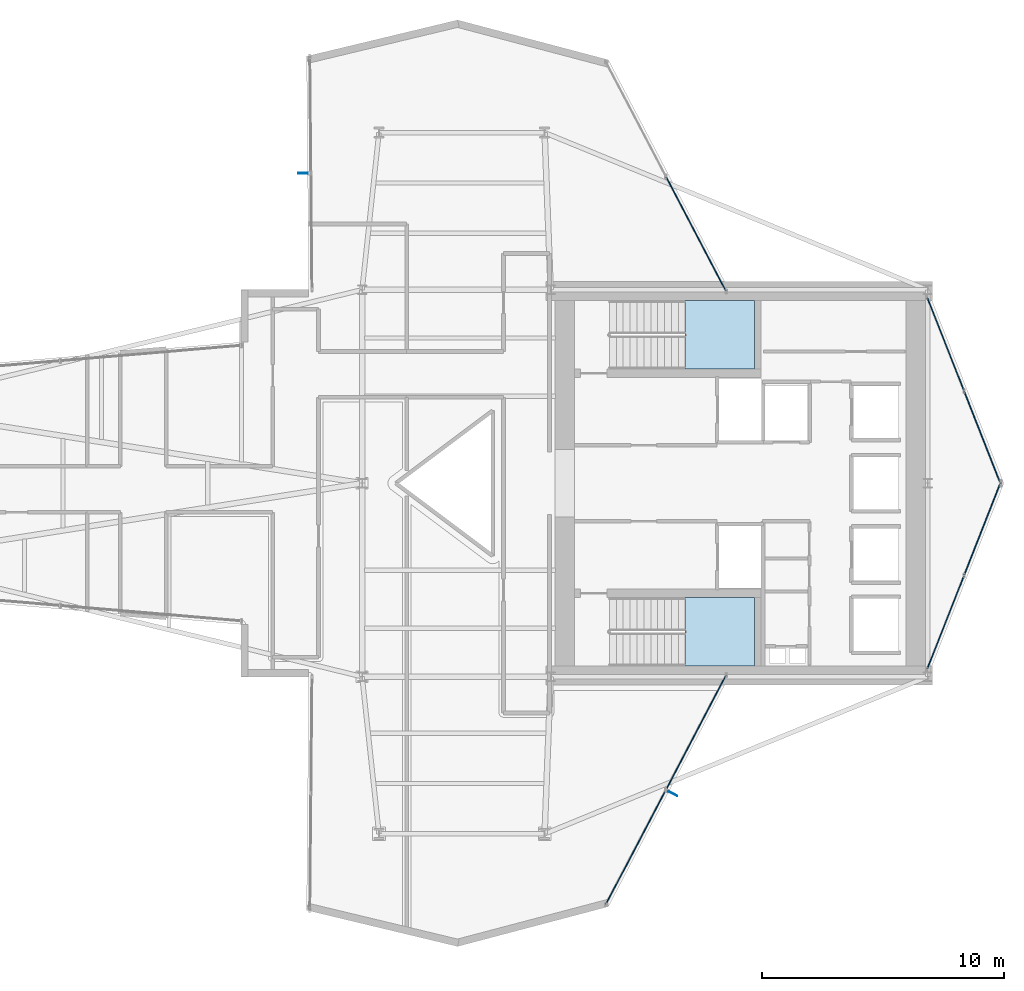
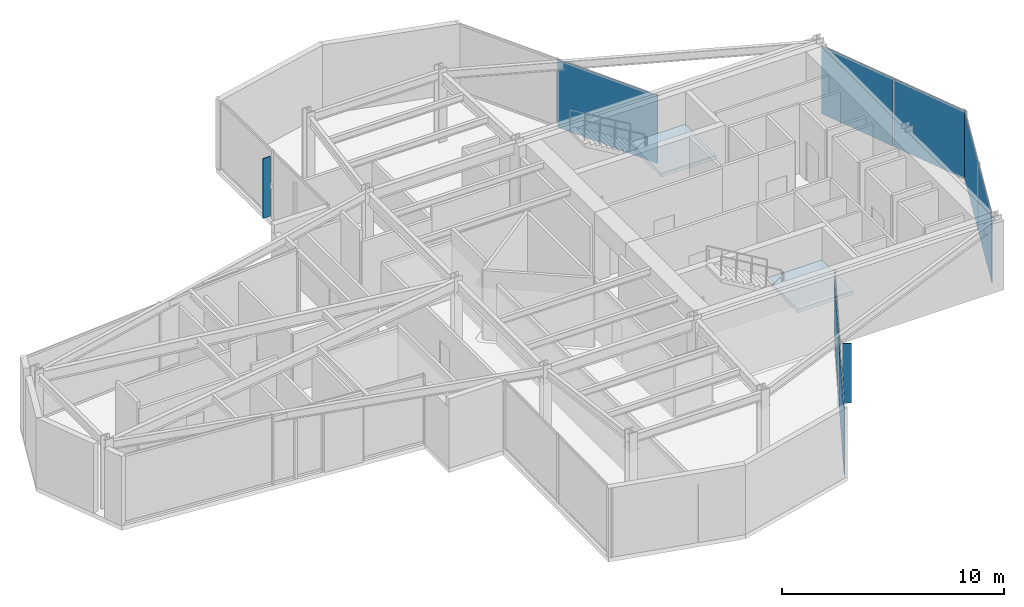
# One storey, part 20 of 25: 9 plates, 2 slabs, 6 elements without a shape of their own.
"""IFC4 building model written with IfcOpenShell, lengths in metres."""

import ifcopenshell
import ifcopenshell.guid

model = None  # the IFC model being written
_history = None  # IfcOwnerHistory: only IFC2X3 demands one
_inside = {}  # id of a spatial element -> (the spatial element, [elements in it])
_under = {}  # id of a project, library or spatial element -> (it, [spatial elements below it])
_declared = {}  # id of a project -> (the project, [libraries it declares])
_typed = {}  # id of a type object -> (the type object, [elements of that type])
_made_of = {}  # id of a material, layer set ... -> (it, [elements and type objects made of it])


def new_model(schema):
    """Start an empty IFC model of exactly this schema.

    Asked for "IFC4X3", IfcOpenShell would pick the latest addendum, in which some entities
    have other attributes; the version numbers below select the first issue.
    IFC2X3 requires an IfcOwnerHistory on every rooted entity: one is made here for all.
    """
    global model, _history
    if schema == "IFC4X3":
        model = ifcopenshell.file(schema_version=(4, 3, 0, 0))
    else:
        model = ifcopenshell.file(schema=schema)
    _inside.clear()
    _under.clear()
    _declared.clear()
    _typed.clear()
    _made_of.clear()
    _history = None
    if model.schema == "IFC2X3":
        org = make("IfcOrganization", Name="unknown")
        user = make(
            "IfcPersonAndOrganization",
            ThePerson=make("IfcPerson", FamilyName="unknown"),
            TheOrganization=org,
        )
        app = make(
            "IfcApplication",
            ApplicationDeveloper=org,
            Version="unknown",
            ApplicationFullName="unknown",
            ApplicationIdentifier="unknown",
        )
        _history = make(
            "IfcOwnerHistory",
            OwningUser=user,
            OwningApplication=app,
            ChangeAction="ADDED",
            CreationDate=0,
        )
    return model


def make(cls, **values):
    """One entity of the class cls with the attributes given. An attribute that is None is left unset."""
    return model.create_entity(
        cls, **{name: value for name, value in values.items() if value is not None}
    )


def rooted(cls, **values):
    """An entity with a GlobalId (a new one), such as an element, a storey or a relation."""
    return make(cls, GlobalId=ifcopenshell.guid.new(), OwnerHistory=_history, **values)


def si_unit(unit_type, name, prefix=None):
    """IfcSIUnit, for example si_unit("LENGTHUNIT", "METRE", prefix="MILLI")."""
    return make("IfcSIUnit", UnitType=unit_type, Prefix=prefix, Name=name)


def assignment(units):
    """IfcUnitAssignment: the units of a project."""
    return None if units is None else make("IfcUnitAssignment", Units=units)


def point(xyz):
    """IfcCartesianPoint."""
    return None if xyz is None else make("IfcCartesianPoint", Coordinates=xyz)


def direction(xyz):
    """IfcDirection."""
    return None if xyz is None else make("IfcDirection", DirectionRatios=xyz)


def frame(location, z_axis=None, x_axis=None):
    """IfcAxis2Placement3D, a coordinate frame: its origin and axes. An axis left out is left unset."""
    return make(
        "IfcAxis2Placement3D",
        Location=point(location),
        Axis=direction(z_axis),
        RefDirection=direction(x_axis),
    )


def frame_2d(location, x_axis=None):
    """IfcAxis2Placement2D, a coordinate frame in the plane: its origin and x axis."""
    return make(
        "IfcAxis2Placement2D", Location=point(location), RefDirection=direction(x_axis)
    )


def origin():
    """The frame at (0, 0, 0) with its axes left unset."""
    return frame((0.0, 0.0, 0.0))


def origin_2d():
    """The frame at (0, 0) in the plane with its x axis left unset."""
    return frame_2d((0.0, 0.0))


def place(relative_to, where):
    """IfcLocalPlacement: puts the frame where relative to a parent placement (None: the world)."""
    return make(
        "IfcLocalPlacement", PlacementRelTo=relative_to, RelativePlacement=where
    )


def context(
    kind, dimensions, precision=None, world=None, true_north=None, identifier=None
):
    """IfcGeometricRepresentationContext, for example the 3D "Model" context."""
    return make(
        "IfcGeometricRepresentationContext",
        ContextIdentifier=identifier,
        ContextType=kind,
        CoordinateSpaceDimension=dimensions,
        Precision=precision,
        WorldCoordinateSystem=world,
        TrueNorth=true_north,
    )


def subcontext(parent, identifier, kind, view, scale=None):
    """IfcGeometricRepresentationSubContext, for example "Body" below "Model"."""
    return make(
        "IfcGeometricRepresentationSubContext",
        ContextIdentifier=identifier,
        ContextType=kind,
        ParentContext=parent,
        TargetScale=scale,
        TargetView=view,
    )


def project(units=None, contexts=None):
    """IfcProject with its units and contexts."""
    return rooted(
        "IfcProject",
        Name="project",
        RepresentationContexts=contexts,
        UnitsInContext=assignment(units),
    )


def spatial(cls, under=None, at=None, **own):
    """A site, building, storey or space (cls), placed at a placement, below another one or the project."""
    s = rooted(cls, ObjectPlacement=at, **own)
    if under is not None:
        _under.setdefault(under.id(), (under, []))[1].append(s)
    return s


def polyline(points):
    """IfcPolyline through the points."""
    return make("IfcPolyline", Points=[point(p) for p in points])


def profile(cls, at=None, kind="AREA", **sizes):
    """A parametric profile (cls). Its sizes go by their IFC names, for example OverallWidth=200.0."""
    return make(cls, ProfileType=kind, Position=at, **sizes)


def rectangle(**sizes):
    """IfcRectangleProfileDef."""
    return profile("IfcRectangleProfileDef", **sizes)


def outline(outer, holes=None, kind="AREA"):
    """IfcArbitraryClosedProfileDef: a profile drawn as a closed curve; with holes, ...WithVoids."""
    if holes is None:
        return make("IfcArbitraryClosedProfileDef", ProfileType=kind, OuterCurve=outer)
    return make(
        "IfcArbitraryProfileDefWithVoids",
        ProfileType=kind,
        OuterCurve=outer,
        InnerCurves=holes,
    )


def extrude(swept, where, along, depth):
    """IfcExtrudedAreaSolid: the profile swept, set in the frame where, extruded along a direction by depth."""
    return make(
        "IfcExtrudedAreaSolid",
        SweptArea=swept,
        Position=where,
        ExtrudedDirection=direction(along),
        Depth=depth,
    )


def shape(context_of_items, identifier, shape_type, items):
    """IfcShapeRepresentation: the items that make up one representation, for example the "Body"."""
    return make(
        "IfcShapeRepresentation",
        ContextOfItems=context_of_items,
        RepresentationIdentifier=identifier,
        RepresentationType=shape_type,
        Items=items,
    )


def material(Name=None, Category=None):
    """IfcMaterial."""
    return make("IfcMaterial", Name=Name, Category=Category)


def layer(
    of_material, thickness, ventilated=None, Name=None, Category=None, Priority=None
):
    """IfcMaterialLayer: one layer of a wall or slab, of a material (None: an air gap)."""
    return make(
        "IfcMaterialLayer",
        Material=of_material,
        LayerThickness=thickness,
        IsVentilated=ventilated,
        Name=Name,
        Category=Category,
        Priority=Priority,
    )


def layer_set(layers, Name=None):
    """IfcMaterialLayerSet."""
    return make("IfcMaterialLayerSet", MaterialLayers=layers, LayerSetName=Name)


def made_of(thing, what):
    """Note that an element or type object is made of a material, layer set ...; save() writes the relation."""
    if what is not None:
        _made_of.setdefault(what.id(), (what, []))[1].append(thing)
    return thing


def type_object(cls, material=None, **own):
    """A type object (cls), such as IfcWallType, which elements share."""
    return made_of(rooted(cls, **own), material)


def element(
    cls,
    number,
    at=None,
    inside=None,
    cuts=None,
    type_object=None,
    material=None,
    context=None,
    identifier="Body",
    shape_type=None,
    held_by="IfcProductDefinitionShape",
    body=None,
    shapes=None,
    **own,
):
    """One element of the class cls, such as IfcWall. Its Tag is "e" and its number.

    at: its placement. inside: the storey or other place that contains it. cuts: it is an
    opening in that element (IfcRelVoidsElement). A single representation is given by context,
    identifier, shape_type and body (its items); several are given by shapes. held_by: the class
    of the entity that holds the representations. save() writes the other relations.
    """
    e = rooted(cls, Tag="e%d" % number, ObjectPlacement=at, **own)
    if body is not None:
        shapes = [shape(context, identifier, shape_type, body)]
    if shapes is not None:
        e.Representation = make(held_by, Representations=shapes)
    if inside is not None:
        _inside.setdefault(inside.id(), (inside, []))[1].append(e)
    if cuts is not None:
        rooted(
            "IfcRelVoidsElement", RelatingBuildingElement=cuts, RelatedOpeningElement=e
        )
    if type_object is not None:
        _typed.setdefault(type_object.id(), (type_object, []))[1].append(e)
    return made_of(e, material)


def aggregate(whole, parts):
    """IfcRelAggregates: a whole, such as a stair, and the parts it consists of."""
    return rooted("IfcRelAggregates", RelatingObject=whole, RelatedObjects=parts)


def save(model, path):
    """Write the relations noted so far, then the file.

    IfcRelAggregates (storeys below a building ...), IfcRelContainedInSpatialStructure (elements
    in a storey), IfcRelDefinesByType, IfcRelAssociatesMaterial and IfcRelDeclares: one each for
    every whole, place, type object, material and project.
    """
    for whole, parts in _under.values():
        aggregate(whole, parts)
    for where, things in _inside.values():
        rooted(
            "IfcRelContainedInSpatialStructure",
            RelatedElements=things,
            RelatingStructure=where,
        )
    for kind, things in _typed.values():
        rooted("IfcRelDefinesByType", RelatedObjects=things, RelatingType=kind)
    for what, things in _made_of.values():
        rooted("IfcRelAssociatesMaterial", RelatedObjects=things, RelatingMaterial=what)
    for by, libraries in _declared.values():
        rooted("IfcRelDeclares", RelatingContext=by, RelatedDefinitions=libraries)
    model.write(path)


model = new_model("IFC4")

# Units and contexts
model_context = context("Model", 3, precision=1e-05, world=origin(), true_north=direction((0.0, 1.0)))
body_context = subcontext(model_context, "Body", "Model", "MODEL_VIEW")
ifc_project = project(units=[si_unit("LENGTHUNIT", "METRE"), si_unit("AREAUNIT", "SQUARE_METRE"), si_unit("VOLUMEUNIT", "CUBIC_METRE"), si_unit("PLANEANGLEUNIT", "RADIAN"), si_unit("MASSUNIT", "GRAM", prefix="KILO")], contexts=[model_context])

# Site, building, storey
site_placement = place(None, origin())
site = spatial("IfcSite", under=ifc_project, at=site_placement, CompositionType="ELEMENT")
building_placement = place(site_placement, origin())
building = spatial("IfcBuilding", under=site, at=building_placement, Name="Veymaron Broadcast Tower", CompositionType="ELEMENT")
storey_placement = place(building_placement, frame((0.0, 0.0, 145.199951171875)))
storey = spatial("IfcBuildingStorey", under=building, at=storey_placement, Name="L33", CompositionType="ELEMENT", Elevation=145.199951171875)

# Curtain wall, plates
ifc_material_1 = material(Name="Anodised aluminium AA 6063-T6 and laminated low-E dark glass", Category="aluminium")
ifc_layer_1 = layer(ifc_material_1, 0.179931640625)
ifc_layer_set_1 = layer_set([ifc_layer_1], Name="Anodised aluminium AA 6063-T6 and laminated low-E dark glass")
curtain_wall_type = type_object("IfcCurtainWallType", Name="CW-SYS-03", PredefinedType="NOTDEFINED", material=ifc_layer_set_1)
curtain_wall_1_placement = place(storey_placement, origin())
curtain_wall_1 = element("IfcCurtainWall", 1, at=curtain_wall_1_placement, inside=storey, type_object=curtain_wall_type, Name="L33 dark-glass curtain wall CW-L33-E2-1", PredefinedType="NOTDEFINED")
ifc_material_2 = material(Name="Insulated dark-anodised aluminium spandrel panel 40 mm", Category="aluminium")
ifc_layer_2 = layer(ifc_material_2, 0.0400390625)
ifc_layer_set_2 = layer_set([ifc_layer_2], Name="Insulated dark-anodised aluminium spandrel panel 40 mm")
plate_type_1 = type_object("IfcPlateType", Name="CW-PNL-03", PredefinedType="CURTAIN_PANEL", material=ifc_layer_set_2)
plate_1_placement = place(storey_placement, frame((55.331787109375, 18.240478515625, 0.0400390625), z_axis=(0.0, 0.0, 1.0), x_axis=(0.366371312352, 0.930468732137, 0.0)))
plate_1 = element("IfcPlate", 2, at=plate_1_placement, type_object=plate_type_1, Name="CW-L33-E2-1 unitised curtain panel 0", PredefinedType="CURTAIN_PANEL", context=body_context, shape_type="SweptSolid", body=[
    extrude(rectangle(XDim=4.103515625, YDim=0.0400390625, at=origin_2d()), origin(), (0.0, 0.0, 1.0), 3.72998046875),
])
plate_2_placement = place(storey_placement, frame((56.85693359375, 22.1142578125, 0.0400390625), z_axis=(0.0, 0.0, 1.0), x_axis=(0.366371312352, 0.930468732137, 0.0)))
plate_2 = element("IfcPlate", 3, at=plate_2_placement, type_object=plate_type_1, Name="CW-L33-E2-1 unitised curtain panel 1", PredefinedType="CURTAIN_PANEL", context=body_context, shape_type="SweptSolid", body=[
    extrude(rectangle(XDim=4.103515625, YDim=0.0400390625, at=origin_2d()), origin(), (0.0, 0.0, 1.0), 3.72998046875),
])
aggregate(curtain_wall_1, [plate_1, plate_2])

curtain_wall_2_placement = place(storey_placement, origin())
curtain_wall_2 = element("IfcCurtainWall", 4, at=curtain_wall_2_placement, inside=storey, type_object=curtain_wall_type, Name="L33 dark-glass curtain wall CW-L33-E3-1", PredefinedType="NOTDEFINED")
plate_3_placement = place(storey_placement, frame((56.85693359375, 25.8857421875, 0.0400390625), z_axis=(0.0, 0.0, 1.0), x_axis=(-0.366371312352, 0.930468732137, 0.0)))
plate_3 = element("IfcPlate", 5, at=plate_3_placement, type_object=plate_type_1, Name="CW-L33-E3-1 unitised curtain panel 0", PredefinedType="CURTAIN_PANEL", context=body_context, shape_type="SweptSolid", body=[
    extrude(rectangle(XDim=4.103515625, YDim=0.0400390625, at=origin_2d()), origin(), (0.0, 0.0, 1.0), 3.72998046875),
])
plate_4_placement = place(storey_placement, frame((55.331787109375, 29.759521484375, 0.0400390625), z_axis=(0.0, 0.0, 1.0), x_axis=(-0.366371312352, 0.930468732137, 0.0)))
plate_4 = element("IfcPlate", 6, at=plate_4_placement, type_object=plate_type_1, Name="CW-L33-E3-1 unitised curtain panel 1", PredefinedType="CURTAIN_PANEL", context=body_context, shape_type="SweptSolid", body=[
    extrude(rectangle(XDim=4.103515625, YDim=0.0400390625, at=origin_2d()), origin(), (0.0, 0.0, 1.0), 3.72998046875),
])
aggregate(curtain_wall_2, [plate_3, plate_4])

# Curtain wall, plate
curtain_wall_3_placement = place(storey_placement, origin())
curtain_wall_3 = element("IfcCurtainWall", 7, at=curtain_wall_3_placement, inside=storey, type_object=curtain_wall_type, Name="L33 dark-glass curtain wall CW-L33-E5-1", PredefinedType="NOTDEFINED")
plate_5_placement = place(storey_placement, frame((45.0107421875, 34.31005859375, 0.0400390625), z_axis=(0.0, 0.0, 1.0), x_axis=(-0.46447113214, 0.885588260654, 0.0)))
plate_5 = element("IfcPlate", 8, at=plate_5_placement, type_object=plate_type_1, Name="CW-L33-E5-1 unitised curtain panel 0", PredefinedType="CURTAIN_PANEL", context=body_context, shape_type="SweptSolid", body=[
    extrude(rectangle(XDim=5.3037109375, YDim=0.0400390625, at=origin_2d()), origin(), (0.0, 0.0, 1.0), 3.72998046875),
])
aggregate(curtain_wall_3, [plate_5])

# Curtain wall, plates
curtain_wall_4_placement = place(storey_placement, origin())
curtain_wall_4 = element("IfcCurtainWall", 9, at=curtain_wall_4_placement, inside=storey, type_object=curtain_wall_type, Name="L33 dark-glass curtain wall CW-L33-E20-1", PredefinedType="NOTDEFINED")
plate_6_placement = place(storey_placement, frame((42.519287109375, 8.93994140625, 0.0400390625), z_axis=(0.0, 0.0, 1.0), x_axis=(0.46447113214, 0.885588260654, 0.0)))
plate_6 = element("IfcPlate", 10, at=plate_6_placement, type_object=plate_type_1, Name="CW-L33-E20-1 unitised curtain panel 0", PredefinedType="CURTAIN_PANEL", context=body_context, shape_type="SweptSolid", body=[
    extrude(rectangle(XDim=5.3037109375, YDim=0.0400390625, at=origin_2d()), origin(), (0.0, 0.0, 1.0), 3.72998046875),
])
plate_7_placement = place(storey_placement, frame((45.0107421875, 13.68994140625, 0.0400390625), z_axis=(0.0, 0.0, 1.0), x_axis=(0.46447113214, 0.885588260654, 0.0)))
plate_7 = element("IfcPlate", 11, at=plate_7_placement, type_object=plate_type_1, Name="CW-L33-E20-1 unitised curtain panel 1", PredefinedType="CURTAIN_PANEL", context=body_context, shape_type="SweptSolid", body=[
    extrude(rectangle(XDim=5.3037109375, YDim=0.0400390625, at=origin_2d()), origin(), (0.0, 0.0, 1.0), 3.72998046875),
])
aggregate(curtain_wall_4, [plate_6, plate_7])

# Plates
ifc_material_3 = material(Name="Dark-anodised aluminium AA 6061-T6", Category="aluminium")
ifc_layer_3 = layer(ifc_material_3, 0.031982421875)
ifc_layer_set_3 = layer_set([ifc_layer_3], Name="Dark-anodised aluminium AA 6061-T6")
plate_type_2 = type_object("IfcPlateType", Name="FIN-CHEV-03", PredefinedType="USERDEFINED", material=ifc_layer_set_3)
for number, where, z_axis, x_axis, name in (
    (12, (28.75732421875, 36.8232421875, 0.2666015625), (0.0, 0.0, 1.0), (-0.999956242636, -0.009354828341, 0.0), "CW-L33-E8-1 chevron fin 1"),
    (13, (44.057373046875, 11.16162109375, 0.2666015625), (0.0, 0.0, 1.0), (0.885588260654, -0.46447113214, 0.0), "CW-L33-E20-1 chevron fin 1"),
):
    element("IfcPlate", number, at=place(storey_placement, frame(where, z_axis=z_axis, x_axis=x_axis)), inside=storey, type_object=plate_type_2, Name=name, ObjectType="FIN", PredefinedType="USERDEFINED", context=body_context, shape_type="SweptSolid", body=[
        extrude(rectangle(XDim=0.39990234375, YDim=0.034912109375, at=origin_2d()), origin(), (0.0, 0.0, 1.0), 3.276611328125),
    ])

# Stair, slab
ifc_material_4 = material(Name="Concrete C50/60", Category="concrete")
stair_type_1 = type_object("IfcStairType", Name="STAIR-CORE-1", PredefinedType="HALF_TURN_STAIR", material=ifc_material_4)
stair_1_placement = place(storey_placement, origin())
stair_1 = element("IfcStair", 14, at=stair_1_placement, inside=storey, type_object=stair_type_1, Name="L33 North protected dog-leg exit stair ST1", PredefinedType="HALF_TURN_STAIR")
ifc_layer_4 = layer(ifc_material_4, 0.199951171875)
ifc_layer_set_4 = layer_set([ifc_layer_4], Name="Concrete C50/60")
slab_type = type_object("IfcSlabType", Name="SLAB-STAIR-LDG", PredefinedType="LANDING", material=ifc_layer_set_4)
slab_1_placement = place(storey_placement, frame((0.0, 0.0, 1.824951171875)))
slab_1 = element("IfcSlab", 15, at=slab_1_placement, type_object=slab_type, Name="ST1 landing 1", PredefinedType="LANDING", context=body_context, shape_type="SweptSolid", body=[
    extrude(outline(polyline([(44.56494140625, 28.72998046875), (47.43994140625, 28.72998046875), (47.43994140625, 31.550048828125), (44.56494140625, 31.550048828125), (44.56494140625, 28.72998046875)])), origin(), (0.0, 0.0, 1.0), 0.2001953125),
])
aggregate(stair_1, [slab_1])

stair_type_2 = type_object("IfcStairType", Name="STAIR-CORE-2", PredefinedType="HALF_TURN_STAIR", material=ifc_material_4)
stair_2_placement = place(storey_placement, origin())
stair_2 = element("IfcStair", 16, at=stair_2_placement, inside=storey, type_object=stair_type_2, Name="L33 South protected dog-leg exit stair ST2", PredefinedType="HALF_TURN_STAIR")
slab_2_placement = place(storey_placement, frame((0.0, 0.0, 1.824951171875)))
slab_2 = element("IfcSlab", 17, at=slab_2_placement, type_object=slab_type, Name="ST2 landing 1", PredefinedType="LANDING", context=body_context, shape_type="SweptSolid", body=[
    extrude(outline(polyline([(44.56494140625, 16.449951171875), (47.43994140625, 16.449951171875), (47.43994140625, 19.27001953125), (44.56494140625, 19.27001953125), (44.56494140625, 16.449951171875)])), origin(), (0.0, 0.0, 1.0), 0.2001953125),
])
aggregate(stair_2, [slab_2])

save(model, "model.ifc")
